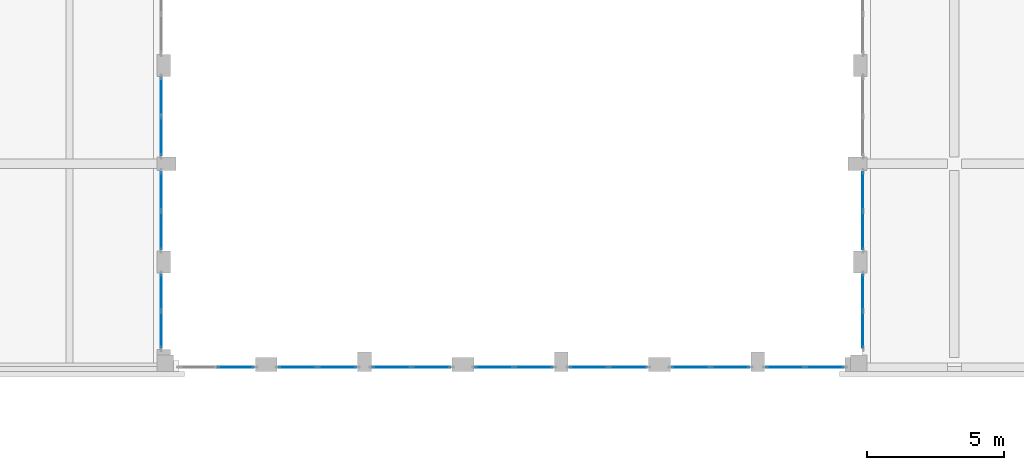
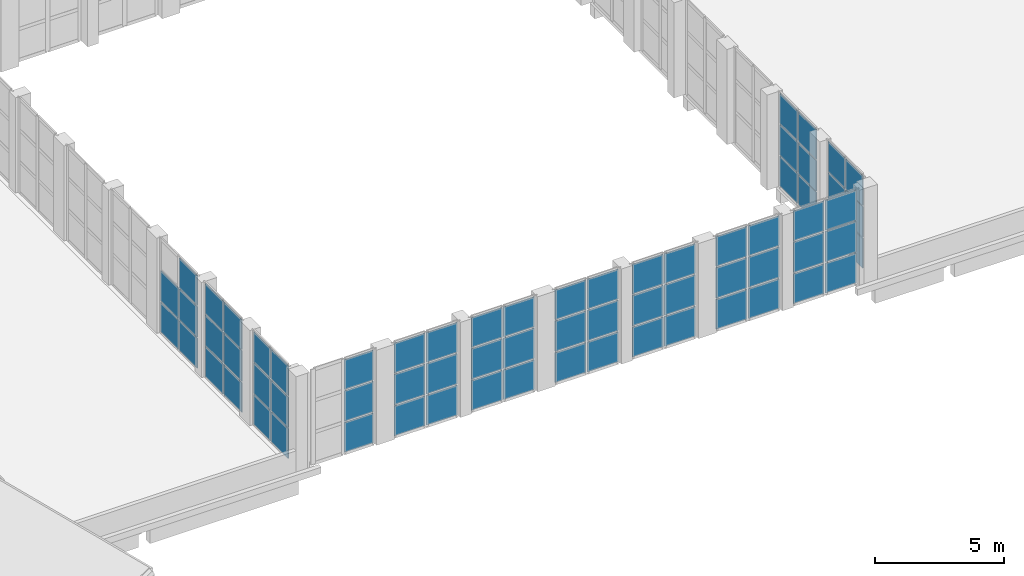
# One storey, part 10 of 44: 68 plates, 12 elements without a shape of their own.
"""IFC4 building model written with IfcOpenShell, lengths in metres."""

from ifc_helpers import new_model, si_unit, direction, frame, origin, origin_2d, place, context, subcontext, project, spatial, rectangle, extrude, material, layer, layer_set, type_object, element, aggregate, save


model = new_model("IFC4")

# Units and contexts
model_context = context("Model", 3, precision=1e-05, world=origin(), true_north=direction((0.0, 1.0)))
body_context = subcontext(model_context, "Body", "Model", "MODEL_VIEW")
ifc_project = project(units=[si_unit("LENGTHUNIT", "METRE"), si_unit("AREAUNIT", "SQUARE_METRE"), si_unit("VOLUMEUNIT", "CUBIC_METRE"), si_unit("PLANEANGLEUNIT", "RADIAN"), si_unit("MASSUNIT", "GRAM", prefix="KILO")], contexts=[model_context])

# Site, building, storey
site_placement = place(None, origin())
site = spatial("IfcSite", under=ifc_project, at=site_placement, CompositionType="ELEMENT")
building_placement = place(site_placement, origin())
building = spatial("IfcBuilding", under=site, at=building_placement, Name="Ussher Court Research Institute", CompositionType="ELEMENT")
storey_placement = place(building_placement, frame((0.0, 0.0, 18.89990234375)))
storey = spatial("IfcBuildingStorey", under=building, at=storey_placement, Name="L04", CompositionType="ELEMENT", Elevation=18.89990234375)

# Curtain wall, plates
ifc_material_1 = material(Name="Bronze anodised aluminium with low-e glass", Category="aluminium")
ifc_layer_1 = layer(ifc_material_1, 0.159912109375)
ifc_layer_set_1 = layer_set([ifc_layer_1], Name="Bronze anodised aluminium with low-e glass")
curtain_wall_type = type_object("IfcCurtainWallType", Name="Curtain wall atrium clerestory tall glazing", PredefinedType="NOTDEFINED", material=ifc_layer_set_1)
curtain_wall_1_placement = place(storey_placement, origin())
curtain_wall_1 = element("IfcCurtainWall", 1, at=curtain_wall_1_placement, inside=storey, type_object=curtain_wall_type, Name="Curtain wall CW3 L04", PredefinedType="NOTDEFINED")
ifc_material_2 = material(Name="Double glazed unit laminated")
ifc_layer_2 = layer(ifc_material_2, 0.035888671875)
ifc_layer_set_2 = layer_set([ifc_layer_2], Name="Double glazed unit laminated")
plate_type = type_object("IfcPlateType", Name="Glazing panel 36 mm", PredefinedType="CURTAIN_PANEL", material=ifc_layer_set_2)
plate_1_placement = place(storey_placement, frame((64.449951171875, 17.3974609375, 0.06005859375), z_axis=(0.0, 0.0, 1.0), x_axis=(0.0, -1.0, 0.0)))
plate_1 = element("IfcPlate", 2, at=plate_1_placement, type_object=plate_type, Name="CW3 panel 1.1", PredefinedType="CURTAIN_PANEL", context=body_context, shape_type="SweptSolid", body=[
    extrude(rectangle(XDim=1.385009765625, YDim=0.035888671875, at=origin_2d()), origin(), (0.0, 0.0, 1.0), 1.409912109375),
])
plate_2_placement = place(storey_placement, frame((64.449951171875, 17.3974609375, 1.530029296875), z_axis=(0.0, 0.0, 1.0), x_axis=(0.0, -1.0, 0.0)))
plate_2 = element("IfcPlate", 3, at=plate_2_placement, type_object=plate_type, Name="CW3 panel 1.2", PredefinedType="CURTAIN_PANEL", context=body_context, shape_type="SweptSolid", body=[
    extrude(rectangle(XDim=1.385009765625, YDim=0.035888671875, at=origin_2d()), origin(), (0.0, 0.0, 1.0), 1.43994140625),
])
plate_3_placement = place(storey_placement, frame((64.449951171875, 17.3974609375, 3.0302734375), z_axis=(0.0, 0.0, 1.0), x_axis=(0.0, -1.0, 0.0)))
plate_3 = element("IfcPlate", 4, at=plate_3_placement, type_object=plate_type, Name="CW3 panel 1.3", PredefinedType="CURTAIN_PANEL", context=body_context, shape_type="SweptSolid", body=[
    extrude(rectangle(XDim=1.385009765625, YDim=0.035888671875, at=origin_2d()), origin(), (0.0, 0.0, 1.0), 1.409912109375),
])
plate_4_placement = place(storey_placement, frame((64.449951171875, 15.952392578125, 0.06005859375), z_axis=(0.0, 0.0, 1.0), x_axis=(0.0, -1.0, 0.0)))
plate_4 = element("IfcPlate", 5, at=plate_4_placement, type_object=plate_type, Name="CW3 panel 2.1", PredefinedType="CURTAIN_PANEL", context=body_context, shape_type="SweptSolid", body=[
    extrude(rectangle(XDim=1.385009765625, YDim=0.035888671875, at=origin_2d()), origin(), (0.0, 0.0, 1.0), 1.409912109375),
])
plate_5_placement = place(storey_placement, frame((64.449951171875, 15.952392578125, 1.530029296875), z_axis=(0.0, 0.0, 1.0), x_axis=(0.0, -1.0, 0.0)))
plate_5 = element("IfcPlate", 6, at=plate_5_placement, type_object=plate_type, Name="CW3 panel 2.2", PredefinedType="CURTAIN_PANEL", context=body_context, shape_type="SweptSolid", body=[
    extrude(rectangle(XDim=1.385009765625, YDim=0.035888671875, at=origin_2d()), origin(), (0.0, 0.0, 1.0), 1.43994140625),
])
plate_6_placement = place(storey_placement, frame((64.449951171875, 15.952392578125, 3.0302734375), z_axis=(0.0, 0.0, 1.0), x_axis=(0.0, -1.0, 0.0)))
plate_6 = element("IfcPlate", 7, at=plate_6_placement, type_object=plate_type, Name="CW3 panel 2.3", PredefinedType="CURTAIN_PANEL", context=body_context, shape_type="SweptSolid", body=[
    extrude(rectangle(XDim=1.385009765625, YDim=0.035888671875, at=origin_2d()), origin(), (0.0, 0.0, 1.0), 1.409912109375),
])
aggregate(curtain_wall_1, [plate_1, plate_2, plate_3, plate_4, plate_5, plate_6])

curtain_wall_2_placement = place(storey_placement, origin())
curtain_wall_2 = element("IfcCurtainWall", 8, at=curtain_wall_2_placement, inside=storey, type_object=curtain_wall_type, Name="Curtain wall CW3 L04", PredefinedType="NOTDEFINED")
plate_7_placement = place(storey_placement, frame((64.449951171875, 13.68505859375, 0.06005859375), z_axis=(0.0, 0.0, 1.0), x_axis=(0.0, -1.0, 0.0)))
plate_7 = element("IfcPlate", 9, at=plate_7_placement, type_object=plate_type, Name="CW3 panel 1.1", PredefinedType="CURTAIN_PANEL", context=body_context, shape_type="SweptSolid", body=[
    extrude(rectangle(XDim=1.31005859375, YDim=0.035888671875, at=origin_2d()), origin(), (0.0, 0.0, 1.0), 1.409912109375),
])
plate_8_placement = place(storey_placement, frame((64.449951171875, 13.68505859375, 1.530029296875), z_axis=(0.0, 0.0, 1.0), x_axis=(0.0, -1.0, 0.0)))
plate_8 = element("IfcPlate", 10, at=plate_8_placement, type_object=plate_type, Name="CW3 panel 1.2", PredefinedType="CURTAIN_PANEL", context=body_context, shape_type="SweptSolid", body=[
    extrude(rectangle(XDim=1.31005859375, YDim=0.035888671875, at=origin_2d()), origin(), (0.0, 0.0, 1.0), 1.43994140625),
])
plate_9_placement = place(storey_placement, frame((64.449951171875, 13.68505859375, 3.0302734375), z_axis=(0.0, 0.0, 1.0), x_axis=(0.0, -1.0, 0.0)))
plate_9 = element("IfcPlate", 11, at=plate_9_placement, type_object=plate_type, Name="CW3 panel 1.3", PredefinedType="CURTAIN_PANEL", context=body_context, shape_type="SweptSolid", body=[
    extrude(rectangle(XDim=1.31005859375, YDim=0.035888671875, at=origin_2d()), origin(), (0.0, 0.0, 1.0), 1.409912109375),
])
plate_10_placement = place(storey_placement, frame((64.449951171875, 12.31494140625, 0.06005859375), z_axis=(0.0, 0.0, 1.0), x_axis=(0.0, -1.0, 0.0)))
plate_10 = element("IfcPlate", 12, at=plate_10_placement, type_object=plate_type, Name="CW3 panel 2.1", PredefinedType="CURTAIN_PANEL", context=body_context, shape_type="SweptSolid", body=[
    extrude(rectangle(XDim=1.31005859375, YDim=0.035888671875, at=origin_2d()), origin(), (0.0, 0.0, 1.0), 1.409912109375),
])
plate_11_placement = place(storey_placement, frame((64.449951171875, 12.31494140625, 1.530029296875), z_axis=(0.0, 0.0, 1.0), x_axis=(0.0, -1.0, 0.0)))
plate_11 = element("IfcPlate", 13, at=plate_11_placement, type_object=plate_type, Name="CW3 panel 2.2", PredefinedType="CURTAIN_PANEL", context=body_context, shape_type="SweptSolid", body=[
    extrude(rectangle(XDim=1.31005859375, YDim=0.035888671875, at=origin_2d()), origin(), (0.0, 0.0, 1.0), 1.43994140625),
])
plate_12_placement = place(storey_placement, frame((64.449951171875, 12.31494140625, 3.0302734375), z_axis=(0.0, 0.0, 1.0), x_axis=(0.0, -1.0, 0.0)))
plate_12 = element("IfcPlate", 14, at=plate_12_placement, type_object=plate_type, Name="CW3 panel 2.3", PredefinedType="CURTAIN_PANEL", context=body_context, shape_type="SweptSolid", body=[
    extrude(rectangle(XDim=1.31005859375, YDim=0.035888671875, at=origin_2d()), origin(), (0.0, 0.0, 1.0), 1.409912109375),
])
aggregate(curtain_wall_2, [plate_7, plate_8, plate_9, plate_10, plate_11, plate_12])

curtain_wall_3_placement = place(storey_placement, origin())
curtain_wall_3 = element("IfcCurtainWall", 15, at=curtain_wall_3_placement, inside=storey, type_object=curtain_wall_type, Name="Curtain wall CW3 L04", PredefinedType="NOTDEFINED")
plate_13_placement = place(storey_placement, frame((63.047607421875, 10.949951171875, 0.06005859375), z_axis=(0.0, 0.0, 1.0), x_axis=(-1.0, 0.0, 0.0)))
plate_13 = element("IfcPlate", 16, at=plate_13_placement, type_object=plate_type, Name="CW3 panel 1.1", PredefinedType="CURTAIN_PANEL", context=body_context, shape_type="SweptSolid", body=[
    extrude(rectangle(XDim=1.385009765625, YDim=0.035888671875, at=origin_2d()), origin(), (0.0, 0.0, 1.0), 1.409912109375),
])
plate_14_placement = place(storey_placement, frame((63.047607421875, 10.949951171875, 1.530029296875), z_axis=(0.0, 0.0, 1.0), x_axis=(-1.0, 0.0, 0.0)))
plate_14 = element("IfcPlate", 17, at=plate_14_placement, type_object=plate_type, Name="CW3 panel 1.2", PredefinedType="CURTAIN_PANEL", context=body_context, shape_type="SweptSolid", body=[
    extrude(rectangle(XDim=1.385009765625, YDim=0.035888671875, at=origin_2d()), origin(), (0.0, 0.0, 1.0), 1.43994140625),
])
plate_15_placement = place(storey_placement, frame((63.047607421875, 10.949951171875, 3.0302734375), z_axis=(0.0, 0.0, 1.0), x_axis=(-1.0, 0.0, 0.0)))
plate_15 = element("IfcPlate", 18, at=plate_15_placement, type_object=plate_type, Name="CW3 panel 1.3", PredefinedType="CURTAIN_PANEL", context=body_context, shape_type="SweptSolid", body=[
    extrude(rectangle(XDim=1.385009765625, YDim=0.035888671875, at=origin_2d()), origin(), (0.0, 0.0, 1.0), 1.409912109375),
])
plate_16_placement = place(storey_placement, frame((61.6025390625, 10.949951171875, 0.06005859375), z_axis=(0.0, 0.0, 1.0), x_axis=(-1.0, 0.0, 0.0)))
plate_16 = element("IfcPlate", 19, at=plate_16_placement, type_object=plate_type, Name="CW3 panel 2.1", PredefinedType="CURTAIN_PANEL", context=body_context, shape_type="SweptSolid", body=[
    extrude(rectangle(XDim=1.385009765625, YDim=0.035888671875, at=origin_2d()), origin(), (0.0, 0.0, 1.0), 1.409912109375),
])
plate_17_placement = place(storey_placement, frame((61.6025390625, 10.949951171875, 1.530029296875), z_axis=(0.0, 0.0, 1.0), x_axis=(-1.0, 0.0, 0.0)))
plate_17 = element("IfcPlate", 20, at=plate_17_placement, type_object=plate_type, Name="CW3 panel 2.2", PredefinedType="CURTAIN_PANEL", context=body_context, shape_type="SweptSolid", body=[
    extrude(rectangle(XDim=1.385009765625, YDim=0.035888671875, at=origin_2d()), origin(), (0.0, 0.0, 1.0), 1.43994140625),
])
plate_18_placement = place(storey_placement, frame((61.6025390625, 10.949951171875, 3.0302734375), z_axis=(0.0, 0.0, 1.0), x_axis=(-1.0, 0.0, 0.0)))
plate_18 = element("IfcPlate", 21, at=plate_18_placement, type_object=plate_type, Name="CW3 panel 2.3", PredefinedType="CURTAIN_PANEL", context=body_context, shape_type="SweptSolid", body=[
    extrude(rectangle(XDim=1.385009765625, YDim=0.035888671875, at=origin_2d()), origin(), (0.0, 0.0, 1.0), 1.409912109375),
])
aggregate(curtain_wall_3, [plate_13, plate_14, plate_15, plate_16, plate_17, plate_18])

curtain_wall_4_placement = place(storey_placement, origin())
curtain_wall_4 = element("IfcCurtainWall", 22, at=curtain_wall_4_placement, inside=storey, type_object=curtain_wall_type, Name="Curtain wall CW3 L04", PredefinedType="NOTDEFINED")
plate_19_placement = place(storey_placement, frame((59.597412109375, 10.949951171875, 0.06005859375), z_axis=(0.0, 0.0, 1.0), x_axis=(-1.0, 0.0, 0.0)))
plate_19 = element("IfcPlate", 23, at=plate_19_placement, type_object=plate_type, Name="CW3 panel 1.1", PredefinedType="CURTAIN_PANEL", context=body_context, shape_type="SweptSolid", body=[
    extrude(rectangle(XDim=1.385009765625, YDim=0.035888671875, at=origin_2d()), origin(), (0.0, 0.0, 1.0), 1.409912109375),
])
plate_20_placement = place(storey_placement, frame((59.597412109375, 10.949951171875, 1.530029296875), z_axis=(0.0, 0.0, 1.0), x_axis=(-1.0, 0.0, 0.0)))
plate_20 = element("IfcPlate", 24, at=plate_20_placement, type_object=plate_type, Name="CW3 panel 1.2", PredefinedType="CURTAIN_PANEL", context=body_context, shape_type="SweptSolid", body=[
    extrude(rectangle(XDim=1.385009765625, YDim=0.035888671875, at=origin_2d()), origin(), (0.0, 0.0, 1.0), 1.43994140625),
])
plate_21_placement = place(storey_placement, frame((59.597412109375, 10.949951171875, 3.0302734375), z_axis=(0.0, 0.0, 1.0), x_axis=(-1.0, 0.0, 0.0)))
plate_21 = element("IfcPlate", 25, at=plate_21_placement, type_object=plate_type, Name="CW3 panel 1.3", PredefinedType="CURTAIN_PANEL", context=body_context, shape_type="SweptSolid", body=[
    extrude(rectangle(XDim=1.385009765625, YDim=0.035888671875, at=origin_2d()), origin(), (0.0, 0.0, 1.0), 1.409912109375),
])
plate_22_placement = place(storey_placement, frame((58.152587890625, 10.949951171875, 0.06005859375), z_axis=(0.0, 0.0, 1.0), x_axis=(-1.0, 0.0, 0.0)))
plate_22 = element("IfcPlate", 26, at=plate_22_placement, type_object=plate_type, Name="CW3 panel 2.1", PredefinedType="CURTAIN_PANEL", context=body_context, shape_type="SweptSolid", body=[
    extrude(rectangle(XDim=1.385009765625, YDim=0.035888671875, at=origin_2d()), origin(), (0.0, 0.0, 1.0), 1.409912109375),
])
plate_23_placement = place(storey_placement, frame((58.152587890625, 10.949951171875, 1.530029296875), z_axis=(0.0, 0.0, 1.0), x_axis=(-1.0, 0.0, 0.0)))
plate_23 = element("IfcPlate", 27, at=plate_23_placement, type_object=plate_type, Name="CW3 panel 2.2", PredefinedType="CURTAIN_PANEL", context=body_context, shape_type="SweptSolid", body=[
    extrude(rectangle(XDim=1.385009765625, YDim=0.035888671875, at=origin_2d()), origin(), (0.0, 0.0, 1.0), 1.43994140625),
])
plate_24_placement = place(storey_placement, frame((58.152587890625, 10.949951171875, 3.0302734375), z_axis=(0.0, 0.0, 1.0), x_axis=(-1.0, 0.0, 0.0)))
plate_24 = element("IfcPlate", 28, at=plate_24_placement, type_object=plate_type, Name="CW3 panel 2.3", PredefinedType="CURTAIN_PANEL", context=body_context, shape_type="SweptSolid", body=[
    extrude(rectangle(XDim=1.385009765625, YDim=0.035888671875, at=origin_2d()), origin(), (0.0, 0.0, 1.0), 1.409912109375),
])
aggregate(curtain_wall_4, [plate_19, plate_20, plate_21, plate_22, plate_23, plate_24])

curtain_wall_5_placement = place(storey_placement, origin())
curtain_wall_5 = element("IfcCurtainWall", 29, at=curtain_wall_5_placement, inside=storey, type_object=curtain_wall_type, Name="Curtain wall CW3 L04", PredefinedType="NOTDEFINED")
plate_25_placement = place(storey_placement, frame((55.847412109375, 10.949951171875, 0.06005859375), z_axis=(0.0, 0.0, 1.0), x_axis=(-1.0, 0.0, 0.0)))
plate_25 = element("IfcPlate", 30, at=plate_25_placement, type_object=plate_type, Name="CW3 panel 1.1", PredefinedType="CURTAIN_PANEL", context=body_context, shape_type="SweptSolid", body=[
    extrude(rectangle(XDim=1.385009765625, YDim=0.035888671875, at=origin_2d()), origin(), (0.0, 0.0, 1.0), 1.409912109375),
])
plate_26_placement = place(storey_placement, frame((55.847412109375, 10.949951171875, 1.530029296875), z_axis=(0.0, 0.0, 1.0), x_axis=(-1.0, 0.0, 0.0)))
plate_26 = element("IfcPlate", 31, at=plate_26_placement, type_object=plate_type, Name="CW3 panel 1.2", PredefinedType="CURTAIN_PANEL", context=body_context, shape_type="SweptSolid", body=[
    extrude(rectangle(XDim=1.385009765625, YDim=0.035888671875, at=origin_2d()), origin(), (0.0, 0.0, 1.0), 1.43994140625),
])
plate_27_placement = place(storey_placement, frame((55.847412109375, 10.949951171875, 3.0302734375), z_axis=(0.0, 0.0, 1.0), x_axis=(-1.0, 0.0, 0.0)))
plate_27 = element("IfcPlate", 32, at=plate_27_placement, type_object=plate_type, Name="CW3 panel 1.3", PredefinedType="CURTAIN_PANEL", context=body_context, shape_type="SweptSolid", body=[
    extrude(rectangle(XDim=1.385009765625, YDim=0.035888671875, at=origin_2d()), origin(), (0.0, 0.0, 1.0), 1.409912109375),
])
plate_28_placement = place(storey_placement, frame((54.402587890625, 10.949951171875, 0.06005859375), z_axis=(0.0, 0.0, 1.0), x_axis=(-1.0, 0.0, 0.0)))
plate_28 = element("IfcPlate", 33, at=plate_28_placement, type_object=plate_type, Name="CW3 panel 2.1", PredefinedType="CURTAIN_PANEL", context=body_context, shape_type="SweptSolid", body=[
    extrude(rectangle(XDim=1.385009765625, YDim=0.035888671875, at=origin_2d()), origin(), (0.0, 0.0, 1.0), 1.409912109375),
])
plate_29_placement = place(storey_placement, frame((54.402587890625, 10.949951171875, 1.530029296875), z_axis=(0.0, 0.0, 1.0), x_axis=(-1.0, 0.0, 0.0)))
plate_29 = element("IfcPlate", 34, at=plate_29_placement, type_object=plate_type, Name="CW3 panel 2.2", PredefinedType="CURTAIN_PANEL", context=body_context, shape_type="SweptSolid", body=[
    extrude(rectangle(XDim=1.385009765625, YDim=0.035888671875, at=origin_2d()), origin(), (0.0, 0.0, 1.0), 1.43994140625),
])
plate_30_placement = place(storey_placement, frame((54.402587890625, 10.949951171875, 3.0302734375), z_axis=(0.0, 0.0, 1.0), x_axis=(-1.0, 0.0, 0.0)))
plate_30 = element("IfcPlate", 35, at=plate_30_placement, type_object=plate_type, Name="CW3 panel 2.3", PredefinedType="CURTAIN_PANEL", context=body_context, shape_type="SweptSolid", body=[
    extrude(rectangle(XDim=1.385009765625, YDim=0.035888671875, at=origin_2d()), origin(), (0.0, 0.0, 1.0), 1.409912109375),
])
aggregate(curtain_wall_5, [plate_25, plate_26, plate_27, plate_28, plate_29, plate_30])

curtain_wall_6_placement = place(storey_placement, origin())
curtain_wall_6 = element("IfcCurtainWall", 36, at=curtain_wall_6_placement, inside=storey, type_object=curtain_wall_type, Name="Curtain wall CW3 L04", PredefinedType="NOTDEFINED")
plate_31_placement = place(storey_placement, frame((52.3974609375, 10.949951171875, 0.06005859375), z_axis=(0.0, 0.0, 1.0), x_axis=(-1.0, 0.0, 0.0)))
plate_31 = element("IfcPlate", 37, at=plate_31_placement, type_object=plate_type, Name="CW3 panel 1.1", PredefinedType="CURTAIN_PANEL", context=body_context, shape_type="SweptSolid", body=[
    extrude(rectangle(XDim=1.385009765625, YDim=0.035888671875, at=origin_2d()), origin(), (0.0, 0.0, 1.0), 1.409912109375),
])
plate_32_placement = place(storey_placement, frame((52.3974609375, 10.949951171875, 1.530029296875), z_axis=(0.0, 0.0, 1.0), x_axis=(-1.0, 0.0, 0.0)))
plate_32 = element("IfcPlate", 38, at=plate_32_placement, type_object=plate_type, Name="CW3 panel 1.2", PredefinedType="CURTAIN_PANEL", context=body_context, shape_type="SweptSolid", body=[
    extrude(rectangle(XDim=1.385009765625, YDim=0.035888671875, at=origin_2d()), origin(), (0.0, 0.0, 1.0), 1.43994140625),
])
plate_33_placement = place(storey_placement, frame((52.3974609375, 10.949951171875, 3.0302734375), z_axis=(0.0, 0.0, 1.0), x_axis=(-1.0, 0.0, 0.0)))
plate_33 = element("IfcPlate", 39, at=plate_33_placement, type_object=plate_type, Name="CW3 panel 1.3", PredefinedType="CURTAIN_PANEL", context=body_context, shape_type="SweptSolid", body=[
    extrude(rectangle(XDim=1.385009765625, YDim=0.035888671875, at=origin_2d()), origin(), (0.0, 0.0, 1.0), 1.409912109375),
])
plate_34_placement = place(storey_placement, frame((50.952392578125, 10.949951171875, 0.06005859375), z_axis=(0.0, 0.0, 1.0), x_axis=(-1.0, 0.0, 0.0)))
plate_34 = element("IfcPlate", 40, at=plate_34_placement, type_object=plate_type, Name="CW3 panel 2.1", PredefinedType="CURTAIN_PANEL", context=body_context, shape_type="SweptSolid", body=[
    extrude(rectangle(XDim=1.385009765625, YDim=0.035888671875, at=origin_2d()), origin(), (0.0, 0.0, 1.0), 1.409912109375),
])
plate_35_placement = place(storey_placement, frame((50.952392578125, 10.949951171875, 1.530029296875), z_axis=(0.0, 0.0, 1.0), x_axis=(-1.0, 0.0, 0.0)))
plate_35 = element("IfcPlate", 41, at=plate_35_placement, type_object=plate_type, Name="CW3 panel 2.2", PredefinedType="CURTAIN_PANEL", context=body_context, shape_type="SweptSolid", body=[
    extrude(rectangle(XDim=1.385009765625, YDim=0.035888671875, at=origin_2d()), origin(), (0.0, 0.0, 1.0), 1.43994140625),
])
plate_36_placement = place(storey_placement, frame((50.952392578125, 10.949951171875, 3.0302734375), z_axis=(0.0, 0.0, 1.0), x_axis=(-1.0, 0.0, 0.0)))
plate_36 = element("IfcPlate", 42, at=plate_36_placement, type_object=plate_type, Name="CW3 panel 2.3", PredefinedType="CURTAIN_PANEL", context=body_context, shape_type="SweptSolid", body=[
    extrude(rectangle(XDim=1.385009765625, YDim=0.035888671875, at=origin_2d()), origin(), (0.0, 0.0, 1.0), 1.409912109375),
])
aggregate(curtain_wall_6, [plate_31, plate_32, plate_33, plate_34, plate_35, plate_36])

curtain_wall_7_placement = place(storey_placement, origin())
curtain_wall_7 = element("IfcCurtainWall", 43, at=curtain_wall_7_placement, inside=storey, type_object=curtain_wall_type, Name="Curtain wall CW3 L04", PredefinedType="NOTDEFINED")
plate_37_placement = place(storey_placement, frame((48.6474609375, 10.949951171875, 0.06005859375), z_axis=(0.0, 0.0, 1.0), x_axis=(-1.0, 0.0, 0.0)))
plate_37 = element("IfcPlate", 44, at=plate_37_placement, type_object=plate_type, Name="CW3 panel 1.1", PredefinedType="CURTAIN_PANEL", context=body_context, shape_type="SweptSolid", body=[
    extrude(rectangle(XDim=1.385009765625, YDim=0.035888671875, at=origin_2d()), origin(), (0.0, 0.0, 1.0), 1.409912109375),
])
plate_38_placement = place(storey_placement, frame((48.6474609375, 10.949951171875, 1.530029296875), z_axis=(0.0, 0.0, 1.0), x_axis=(-1.0, 0.0, 0.0)))
plate_38 = element("IfcPlate", 45, at=plate_38_placement, type_object=plate_type, Name="CW3 panel 1.2", PredefinedType="CURTAIN_PANEL", context=body_context, shape_type="SweptSolid", body=[
    extrude(rectangle(XDim=1.385009765625, YDim=0.035888671875, at=origin_2d()), origin(), (0.0, 0.0, 1.0), 1.43994140625),
])
plate_39_placement = place(storey_placement, frame((48.6474609375, 10.949951171875, 3.0302734375), z_axis=(0.0, 0.0, 1.0), x_axis=(-1.0, 0.0, 0.0)))
plate_39 = element("IfcPlate", 46, at=plate_39_placement, type_object=plate_type, Name="CW3 panel 1.3", PredefinedType="CURTAIN_PANEL", context=body_context, shape_type="SweptSolid", body=[
    extrude(rectangle(XDim=1.385009765625, YDim=0.035888671875, at=origin_2d()), origin(), (0.0, 0.0, 1.0), 1.409912109375),
])
plate_40_placement = place(storey_placement, frame((47.202392578125, 10.949951171875, 0.06005859375), z_axis=(0.0, 0.0, 1.0), x_axis=(-1.0, 0.0, 0.0)))
plate_40 = element("IfcPlate", 47, at=plate_40_placement, type_object=plate_type, Name="CW3 panel 2.1", PredefinedType="CURTAIN_PANEL", context=body_context, shape_type="SweptSolid", body=[
    extrude(rectangle(XDim=1.385009765625, YDim=0.035888671875, at=origin_2d()), origin(), (0.0, 0.0, 1.0), 1.409912109375),
])
plate_41_placement = place(storey_placement, frame((47.202392578125, 10.949951171875, 1.530029296875), z_axis=(0.0, 0.0, 1.0), x_axis=(-1.0, 0.0, 0.0)))
plate_41 = element("IfcPlate", 48, at=plate_41_placement, type_object=plate_type, Name="CW3 panel 2.2", PredefinedType="CURTAIN_PANEL", context=body_context, shape_type="SweptSolid", body=[
    extrude(rectangle(XDim=1.385009765625, YDim=0.035888671875, at=origin_2d()), origin(), (0.0, 0.0, 1.0), 1.43994140625),
])
plate_42_placement = place(storey_placement, frame((47.202392578125, 10.949951171875, 3.0302734375), z_axis=(0.0, 0.0, 1.0), x_axis=(-1.0, 0.0, 0.0)))
plate_42 = element("IfcPlate", 49, at=plate_42_placement, type_object=plate_type, Name="CW3 panel 2.3", PredefinedType="CURTAIN_PANEL", context=body_context, shape_type="SweptSolid", body=[
    extrude(rectangle(XDim=1.385009765625, YDim=0.035888671875, at=origin_2d()), origin(), (0.0, 0.0, 1.0), 1.409912109375),
])
aggregate(curtain_wall_7, [plate_37, plate_38, plate_39, plate_40, plate_41, plate_42])

curtain_wall_8_placement = place(storey_placement, origin())
curtain_wall_8 = element("IfcCurtainWall", 50, at=curtain_wall_8_placement, inside=storey, type_object=curtain_wall_type, Name="Curtain wall CW3 L04", PredefinedType="NOTDEFINED")
plate_43_placement = place(storey_placement, frame((45.197509765625, 10.949951171875, 0.06005859375), z_axis=(0.0, 0.0, 1.0), x_axis=(-1.0, 0.0, 0.0)))
plate_43 = element("IfcPlate", 51, at=plate_43_placement, type_object=plate_type, Name="CW3 panel 1.1", PredefinedType="CURTAIN_PANEL", context=body_context, shape_type="SweptSolid", body=[
    extrude(rectangle(XDim=1.385009765625, YDim=0.035888671875, at=origin_2d()), origin(), (0.0, 0.0, 1.0), 1.409912109375),
])
plate_44_placement = place(storey_placement, frame((45.197509765625, 10.949951171875, 1.530029296875), z_axis=(0.0, 0.0, 1.0), x_axis=(-1.0, 0.0, 0.0)))
plate_44 = element("IfcPlate", 52, at=plate_44_placement, type_object=plate_type, Name="CW3 panel 1.2", PredefinedType="CURTAIN_PANEL", context=body_context, shape_type="SweptSolid", body=[
    extrude(rectangle(XDim=1.385009765625, YDim=0.035888671875, at=origin_2d()), origin(), (0.0, 0.0, 1.0), 1.43994140625),
])
plate_45_placement = place(storey_placement, frame((45.197509765625, 10.949951171875, 3.0302734375), z_axis=(0.0, 0.0, 1.0), x_axis=(-1.0, 0.0, 0.0)))
plate_45 = element("IfcPlate", 53, at=plate_45_placement, type_object=plate_type, Name="CW3 panel 1.3", PredefinedType="CURTAIN_PANEL", context=body_context, shape_type="SweptSolid", body=[
    extrude(rectangle(XDim=1.385009765625, YDim=0.035888671875, at=origin_2d()), origin(), (0.0, 0.0, 1.0), 1.409912109375),
])
plate_46_placement = place(storey_placement, frame((43.75244140625, 10.949951171875, 0.06005859375), z_axis=(0.0, 0.0, 1.0), x_axis=(-1.0, 0.0, 0.0)))
plate_46 = element("IfcPlate", 54, at=plate_46_placement, type_object=plate_type, Name="CW3 panel 2.1", PredefinedType="CURTAIN_PANEL", context=body_context, shape_type="SweptSolid", body=[
    extrude(rectangle(XDim=1.385009765625, YDim=0.035888671875, at=origin_2d()), origin(), (0.0, 0.0, 1.0), 1.409912109375),
])
plate_47_placement = place(storey_placement, frame((43.75244140625, 10.949951171875, 1.530029296875), z_axis=(0.0, 0.0, 1.0), x_axis=(-1.0, 0.0, 0.0)))
plate_47 = element("IfcPlate", 55, at=plate_47_placement, type_object=plate_type, Name="CW3 panel 2.2", PredefinedType="CURTAIN_PANEL", context=body_context, shape_type="SweptSolid", body=[
    extrude(rectangle(XDim=1.385009765625, YDim=0.035888671875, at=origin_2d()), origin(), (0.0, 0.0, 1.0), 1.43994140625),
])
plate_48_placement = place(storey_placement, frame((43.75244140625, 10.949951171875, 3.0302734375), z_axis=(0.0, 0.0, 1.0), x_axis=(-1.0, 0.0, 0.0)))
plate_48 = element("IfcPlate", 56, at=plate_48_placement, type_object=plate_type, Name="CW3 panel 2.3", PredefinedType="CURTAIN_PANEL", context=body_context, shape_type="SweptSolid", body=[
    extrude(rectangle(XDim=1.385009765625, YDim=0.035888671875, at=origin_2d()), origin(), (0.0, 0.0, 1.0), 1.409912109375),
])
aggregate(curtain_wall_8, [plate_43, plate_44, plate_45, plate_46, plate_47, plate_48])

curtain_wall_9_placement = place(storey_placement, origin())
curtain_wall_9 = element("IfcCurtainWall", 57, at=curtain_wall_9_placement, inside=storey, type_object=curtain_wall_type, Name="Curtain wall CW3 L04", PredefinedType="NOTDEFINED")
plate_49_placement = place(storey_placement, frame((41.485107421875, 10.949951171875, 0.06005859375), z_axis=(0.0, 0.0, 1.0), x_axis=(-1.0, 0.0, 0.0)))
plate_49 = element("IfcPlate", 58, at=plate_49_placement, type_object=plate_type, Name="CW3 panel 1.1", PredefinedType="CURTAIN_PANEL", context=body_context, shape_type="SweptSolid", body=[
    extrude(rectangle(XDim=1.31005859375, YDim=0.035888671875, at=origin_2d()), origin(), (0.0, 0.0, 1.0), 1.409912109375),
])
plate_50_placement = place(storey_placement, frame((41.485107421875, 10.949951171875, 1.530029296875), z_axis=(0.0, 0.0, 1.0), x_axis=(-1.0, 0.0, 0.0)))
plate_50 = element("IfcPlate", 59, at=plate_50_placement, type_object=plate_type, Name="CW3 panel 1.2", PredefinedType="CURTAIN_PANEL", context=body_context, shape_type="SweptSolid", body=[
    extrude(rectangle(XDim=1.31005859375, YDim=0.035888671875, at=origin_2d()), origin(), (0.0, 0.0, 1.0), 1.43994140625),
])
plate_51_placement = place(storey_placement, frame((41.485107421875, 10.949951171875, 3.0302734375), z_axis=(0.0, 0.0, 1.0), x_axis=(-1.0, 0.0, 0.0)))
plate_51 = element("IfcPlate", 60, at=plate_51_placement, type_object=plate_type, Name="CW3 panel 1.3", PredefinedType="CURTAIN_PANEL", context=body_context, shape_type="SweptSolid", body=[
    extrude(rectangle(XDim=1.31005859375, YDim=0.035888671875, at=origin_2d()), origin(), (0.0, 0.0, 1.0), 1.409912109375),
])
aggregate(curtain_wall_9, [plate_49, plate_50, plate_51])

curtain_wall_10_placement = place(storey_placement, origin())
curtain_wall_10 = element("IfcCurtainWall", 61, at=curtain_wall_10_placement, inside=storey, type_object=curtain_wall_type, Name="Curtain wall CW3 L04", PredefinedType="NOTDEFINED")
plate_52_placement = place(storey_placement, frame((38.75, 12.31494140625, 0.06005859375), z_axis=(0.0, 0.0, 1.0), x_axis=(0.0, 1.0, 0.0)))
plate_52 = element("IfcPlate", 62, at=plate_52_placement, type_object=plate_type, Name="CW3 panel 1.1", PredefinedType="CURTAIN_PANEL", context=body_context, shape_type="SweptSolid", body=[
    extrude(rectangle(XDim=1.31005859375, YDim=0.035888671875, at=origin_2d()), origin(), (0.0, 0.0, 1.0), 1.409912109375),
])
plate_53_placement = place(storey_placement, frame((38.75, 12.31494140625, 1.530029296875), z_axis=(0.0, 0.0, 1.0), x_axis=(0.0, 1.0, 0.0)))
plate_53 = element("IfcPlate", 63, at=plate_53_placement, type_object=plate_type, Name="CW3 panel 1.2", PredefinedType="CURTAIN_PANEL", context=body_context, shape_type="SweptSolid", body=[
    extrude(rectangle(XDim=1.31005859375, YDim=0.035888671875, at=origin_2d()), origin(), (0.0, 0.0, 1.0), 1.43994140625),
])
plate_54_placement = place(storey_placement, frame((38.75, 12.31494140625, 3.0302734375), z_axis=(0.0, 0.0, 1.0), x_axis=(0.0, 1.0, 0.0)))
plate_54 = element("IfcPlate", 64, at=plate_54_placement, type_object=plate_type, Name="CW3 panel 1.3", PredefinedType="CURTAIN_PANEL", context=body_context, shape_type="SweptSolid", body=[
    extrude(rectangle(XDim=1.31005859375, YDim=0.035888671875, at=origin_2d()), origin(), (0.0, 0.0, 1.0), 1.409912109375),
])
plate_55_placement = place(storey_placement, frame((38.75, 13.68505859375, 0.06005859375), z_axis=(0.0, 0.0, 1.0), x_axis=(0.0, 1.0, 0.0)))
plate_55 = element("IfcPlate", 65, at=plate_55_placement, type_object=plate_type, Name="CW3 panel 2.1", PredefinedType="CURTAIN_PANEL", context=body_context, shape_type="SweptSolid", body=[
    extrude(rectangle(XDim=1.31005859375, YDim=0.035888671875, at=origin_2d()), origin(), (0.0, 0.0, 1.0), 1.409912109375),
])
plate_56_placement = place(storey_placement, frame((38.75, 13.68505859375, 1.530029296875), z_axis=(0.0, 0.0, 1.0), x_axis=(0.0, 1.0, 0.0)))
plate_56 = element("IfcPlate", 66, at=plate_56_placement, type_object=plate_type, Name="CW3 panel 2.2", PredefinedType="CURTAIN_PANEL", context=body_context, shape_type="SweptSolid", body=[
    extrude(rectangle(XDim=1.31005859375, YDim=0.035888671875, at=origin_2d()), origin(), (0.0, 0.0, 1.0), 1.43994140625),
])
plate_57_placement = place(storey_placement, frame((38.75, 13.68505859375, 3.0302734375), z_axis=(0.0, 0.0, 1.0), x_axis=(0.0, 1.0, 0.0)))
plate_57 = element("IfcPlate", 67, at=plate_57_placement, type_object=plate_type, Name="CW3 panel 2.3", PredefinedType="CURTAIN_PANEL", context=body_context, shape_type="SweptSolid", body=[
    extrude(rectangle(XDim=1.31005859375, YDim=0.035888671875, at=origin_2d()), origin(), (0.0, 0.0, 1.0), 1.409912109375),
])
aggregate(curtain_wall_10, [plate_52, plate_53, plate_54, plate_55, plate_56, plate_57])

curtain_wall_11_placement = place(storey_placement, origin())
curtain_wall_11 = element("IfcCurtainWall", 68, at=curtain_wall_11_placement, inside=storey, type_object=curtain_wall_type, Name="Curtain wall CW3 L04", PredefinedType="NOTDEFINED")
plate_58_placement = place(storey_placement, frame((38.75, 15.952392578125, 0.06005859375), z_axis=(0.0, 0.0, 1.0), x_axis=(0.0, 1.0, 0.0)))
plate_58 = element("IfcPlate", 69, at=plate_58_placement, type_object=plate_type, Name="CW3 panel 1.1", PredefinedType="CURTAIN_PANEL", context=body_context, shape_type="SweptSolid", body=[
    extrude(rectangle(XDim=1.385009765625, YDim=0.035888671875, at=origin_2d()), origin(), (0.0, 0.0, 1.0), 1.409912109375),
])
plate_59_placement = place(storey_placement, frame((38.75, 15.952392578125, 1.530029296875), z_axis=(0.0, 0.0, 1.0), x_axis=(0.0, 1.0, 0.0)))
plate_59 = element("IfcPlate", 70, at=plate_59_placement, type_object=plate_type, Name="CW3 panel 1.2", PredefinedType="CURTAIN_PANEL", context=body_context, shape_type="SweptSolid", body=[
    extrude(rectangle(XDim=1.385009765625, YDim=0.035888671875, at=origin_2d()), origin(), (0.0, 0.0, 1.0), 1.43994140625),
])
plate_60_placement = place(storey_placement, frame((38.75, 15.952392578125, 3.0302734375), z_axis=(0.0, 0.0, 1.0), x_axis=(0.0, 1.0, 0.0)))
plate_60 = element("IfcPlate", 71, at=plate_60_placement, type_object=plate_type, Name="CW3 panel 1.3", PredefinedType="CURTAIN_PANEL", context=body_context, shape_type="SweptSolid", body=[
    extrude(rectangle(XDim=1.385009765625, YDim=0.035888671875, at=origin_2d()), origin(), (0.0, 0.0, 1.0), 1.409912109375),
])
plate_61_placement = place(storey_placement, frame((38.75, 17.3974609375, 0.06005859375), z_axis=(0.0, 0.0, 1.0), x_axis=(0.0, 1.0, 0.0)))
plate_61 = element("IfcPlate", 72, at=plate_61_placement, type_object=plate_type, Name="CW3 panel 2.1", PredefinedType="CURTAIN_PANEL", context=body_context, shape_type="SweptSolid", body=[
    extrude(rectangle(XDim=1.385009765625, YDim=0.035888671875, at=origin_2d()), origin(), (0.0, 0.0, 1.0), 1.409912109375),
])
plate_62_placement = place(storey_placement, frame((38.75, 17.3974609375, 1.530029296875), z_axis=(0.0, 0.0, 1.0), x_axis=(0.0, 1.0, 0.0)))
plate_62 = element("IfcPlate", 73, at=plate_62_placement, type_object=plate_type, Name="CW3 panel 2.2", PredefinedType="CURTAIN_PANEL", context=body_context, shape_type="SweptSolid", body=[
    extrude(rectangle(XDim=1.385009765625, YDim=0.035888671875, at=origin_2d()), origin(), (0.0, 0.0, 1.0), 1.43994140625),
])
plate_63_placement = place(storey_placement, frame((38.75, 17.3974609375, 3.0302734375), z_axis=(0.0, 0.0, 1.0), x_axis=(0.0, 1.0, 0.0)))
plate_63 = element("IfcPlate", 74, at=plate_63_placement, type_object=plate_type, Name="CW3 panel 2.3", PredefinedType="CURTAIN_PANEL", context=body_context, shape_type="SweptSolid", body=[
    extrude(rectangle(XDim=1.385009765625, YDim=0.035888671875, at=origin_2d()), origin(), (0.0, 0.0, 1.0), 1.409912109375),
])
aggregate(curtain_wall_11, [plate_58, plate_59, plate_60, plate_61, plate_62, plate_63])

curtain_wall_12_placement = place(storey_placement, origin())
curtain_wall_12 = element("IfcCurtainWall", 75, at=curtain_wall_12_placement, inside=storey, type_object=curtain_wall_type, Name="Curtain wall CW3 L04", PredefinedType="NOTDEFINED")
plate_64_placement = place(storey_placement, frame((38.75, 19.402587890625, 0.06005859375), z_axis=(0.0, 0.0, 1.0), x_axis=(0.0, 1.0, 0.0)))
plate_64 = element("IfcPlate", 76, at=plate_64_placement, type_object=plate_type, Name="CW3 panel 1.1", PredefinedType="CURTAIN_PANEL", context=body_context, shape_type="SweptSolid", body=[
    extrude(rectangle(XDim=1.385009765625, YDim=0.035888671875, at=origin_2d()), origin(), (0.0, 0.0, 1.0), 1.409912109375),
])
plate_65_placement = place(storey_placement, frame((38.75, 19.402587890625, 1.530029296875), z_axis=(0.0, 0.0, 1.0), x_axis=(0.0, 1.0, 0.0)))
plate_65 = element("IfcPlate", 77, at=plate_65_placement, type_object=plate_type, Name="CW3 panel 1.2", PredefinedType="CURTAIN_PANEL", context=body_context, shape_type="SweptSolid", body=[
    extrude(rectangle(XDim=1.385009765625, YDim=0.035888671875, at=origin_2d()), origin(), (0.0, 0.0, 1.0), 1.43994140625),
])
plate_66_placement = place(storey_placement, frame((38.75, 19.402587890625, 3.0302734375), z_axis=(0.0, 0.0, 1.0), x_axis=(0.0, 1.0, 0.0)))
plate_66 = element("IfcPlate", 78, at=plate_66_placement, type_object=plate_type, Name="CW3 panel 1.3", PredefinedType="CURTAIN_PANEL", context=body_context, shape_type="SweptSolid", body=[
    extrude(rectangle(XDim=1.385009765625, YDim=0.035888671875, at=origin_2d()), origin(), (0.0, 0.0, 1.0), 1.409912109375),
])
plate_67_placement = place(storey_placement, frame((38.75, 20.847412109375, 0.06005859375), z_axis=(0.0, 0.0, 1.0), x_axis=(0.0, 1.0, 0.0)))
plate_67 = element("IfcPlate", 79, at=plate_67_placement, type_object=plate_type, Name="CW3 panel 2.1", PredefinedType="CURTAIN_PANEL", context=body_context, shape_type="SweptSolid", body=[
    extrude(rectangle(XDim=1.385009765625, YDim=0.035888671875, at=origin_2d()), origin(), (0.0, 0.0, 1.0), 1.409912109375),
])
plate_68_placement = place(storey_placement, frame((38.75, 20.847412109375, 1.530029296875), z_axis=(0.0, 0.0, 1.0), x_axis=(0.0, 1.0, 0.0)))
plate_68 = element("IfcPlate", 80, at=plate_68_placement, type_object=plate_type, Name="CW3 panel 2.2", PredefinedType="CURTAIN_PANEL", context=body_context, shape_type="SweptSolid", body=[
    extrude(rectangle(XDim=1.385009765625, YDim=0.035888671875, at=origin_2d()), origin(), (0.0, 0.0, 1.0), 1.43994140625),
])
aggregate(curtain_wall_12, [plate_64, plate_65, plate_66, plate_67, plate_68])

save(model, "model.ifc")
